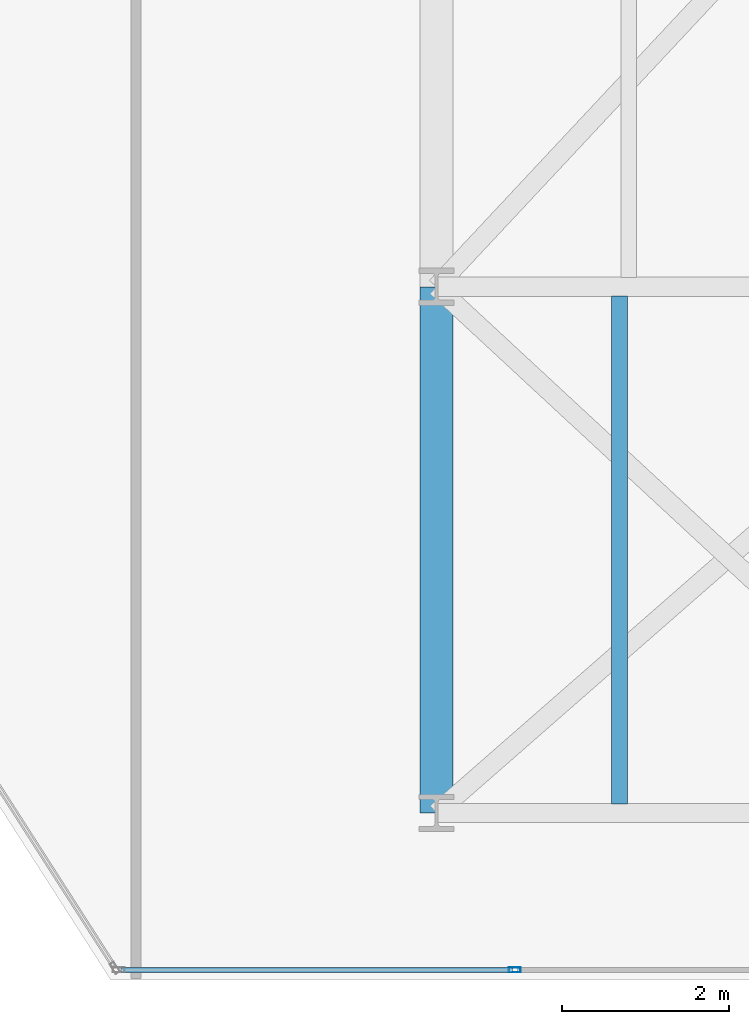
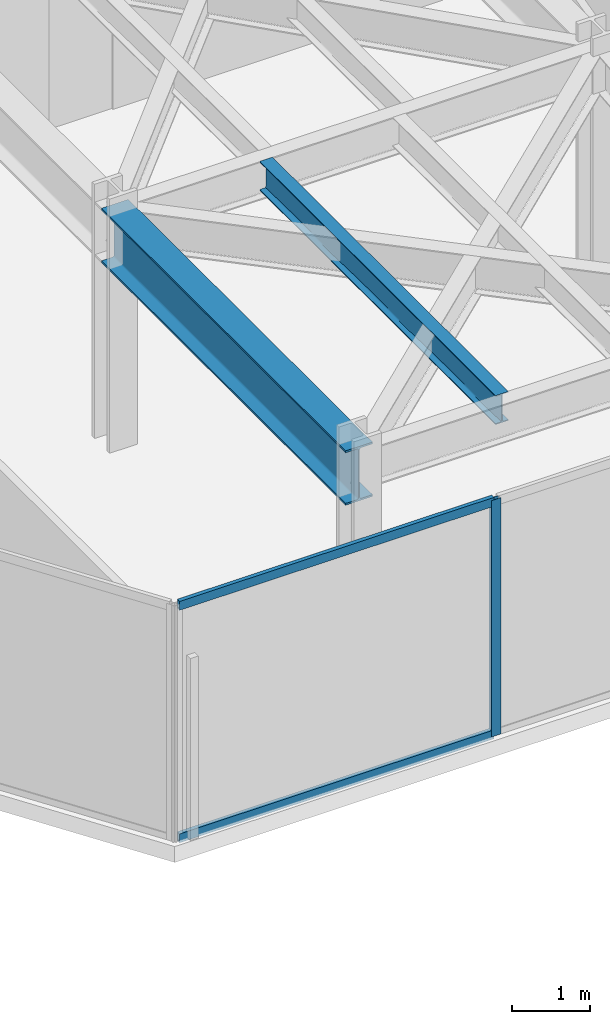
# One storey, part 16 of 26: 3 members, 2 beams, 1 element without a shape of its own.
"""IFC4 building model written with IfcOpenShell, lengths in metres."""

import ifcopenshell
import ifcopenshell.guid

model = None  # the IFC model being written
_history = None  # IfcOwnerHistory: only IFC2X3 demands one
_inside = {}  # id of a spatial element -> (the spatial element, [elements in it])
_under = {}  # id of a project, library or spatial element -> (it, [spatial elements below it])
_declared = {}  # id of a project -> (the project, [libraries it declares])
_typed = {}  # id of a type object -> (the type object, [elements of that type])
_made_of = {}  # id of a material, layer set ... -> (it, [elements and type objects made of it])


def new_model(schema):
    """Start an empty IFC model of exactly this schema.

    Asked for "IFC4X3", IfcOpenShell would pick the latest addendum, in which some entities
    have other attributes; the version numbers below select the first issue.
    IFC2X3 requires an IfcOwnerHistory on every rooted entity: one is made here for all.
    """
    global model, _history
    if schema == "IFC4X3":
        model = ifcopenshell.file(schema_version=(4, 3, 0, 0))
    else:
        model = ifcopenshell.file(schema=schema)
    _inside.clear()
    _under.clear()
    _declared.clear()
    _typed.clear()
    _made_of.clear()
    _history = None
    if model.schema == "IFC2X3":
        org = make("IfcOrganization", Name="unknown")
        user = make(
            "IfcPersonAndOrganization",
            ThePerson=make("IfcPerson", FamilyName="unknown"),
            TheOrganization=org,
        )
        app = make(
            "IfcApplication",
            ApplicationDeveloper=org,
            Version="unknown",
            ApplicationFullName="unknown",
            ApplicationIdentifier="unknown",
        )
        _history = make(
            "IfcOwnerHistory",
            OwningUser=user,
            OwningApplication=app,
            ChangeAction="ADDED",
            CreationDate=0,
        )
    return model


def make(cls, **values):
    """One entity of the class cls with the attributes given. An attribute that is None is left unset."""
    return model.create_entity(
        cls, **{name: value for name, value in values.items() if value is not None}
    )


def rooted(cls, **values):
    """An entity with a GlobalId (a new one), such as an element, a storey or a relation."""
    return make(cls, GlobalId=ifcopenshell.guid.new(), OwnerHistory=_history, **values)


def si_unit(unit_type, name, prefix=None):
    """IfcSIUnit, for example si_unit("LENGTHUNIT", "METRE", prefix="MILLI")."""
    return make("IfcSIUnit", UnitType=unit_type, Prefix=prefix, Name=name)


def assignment(units):
    """IfcUnitAssignment: the units of a project."""
    return None if units is None else make("IfcUnitAssignment", Units=units)


def point(xyz):
    """IfcCartesianPoint."""
    return None if xyz is None else make("IfcCartesianPoint", Coordinates=xyz)


def direction(xyz):
    """IfcDirection."""
    return None if xyz is None else make("IfcDirection", DirectionRatios=xyz)


def frame(location, z_axis=None, x_axis=None):
    """IfcAxis2Placement3D, a coordinate frame: its origin and axes. An axis left out is left unset."""
    return make(
        "IfcAxis2Placement3D",
        Location=point(location),
        Axis=direction(z_axis),
        RefDirection=direction(x_axis),
    )


def frame_2d(location, x_axis=None):
    """IfcAxis2Placement2D, a coordinate frame in the plane: its origin and x axis."""
    return make(
        "IfcAxis2Placement2D", Location=point(location), RefDirection=direction(x_axis)
    )


def origin():
    """The frame at (0, 0, 0) with its axes left unset."""
    return frame((0.0, 0.0, 0.0))


def origin_2d():
    """The frame at (0, 0) in the plane with its x axis left unset."""
    return frame_2d((0.0, 0.0))


def place(relative_to, where):
    """IfcLocalPlacement: puts the frame where relative to a parent placement (None: the world)."""
    return make(
        "IfcLocalPlacement", PlacementRelTo=relative_to, RelativePlacement=where
    )


def context(
    kind, dimensions, precision=None, world=None, true_north=None, identifier=None
):
    """IfcGeometricRepresentationContext, for example the 3D "Model" context."""
    return make(
        "IfcGeometricRepresentationContext",
        ContextIdentifier=identifier,
        ContextType=kind,
        CoordinateSpaceDimension=dimensions,
        Precision=precision,
        WorldCoordinateSystem=world,
        TrueNorth=true_north,
    )


def subcontext(parent, identifier, kind, view, scale=None):
    """IfcGeometricRepresentationSubContext, for example "Body" below "Model"."""
    return make(
        "IfcGeometricRepresentationSubContext",
        ContextIdentifier=identifier,
        ContextType=kind,
        ParentContext=parent,
        TargetScale=scale,
        TargetView=view,
    )


def project(units=None, contexts=None):
    """IfcProject with its units and contexts."""
    return rooted(
        "IfcProject",
        Name="project",
        RepresentationContexts=contexts,
        UnitsInContext=assignment(units),
    )


def spatial(cls, under=None, at=None, **own):
    """A site, building, storey or space (cls), placed at a placement, below another one or the project."""
    s = rooted(cls, ObjectPlacement=at, **own)
    if under is not None:
        _under.setdefault(under.id(), (under, []))[1].append(s)
    return s


def profile(cls, at=None, kind="AREA", **sizes):
    """A parametric profile (cls). Its sizes go by their IFC names, for example OverallWidth=200.0."""
    return make(cls, ProfileType=kind, Position=at, **sizes)


def hollow_rectangle(**sizes):
    """IfcRectangleHollowProfileDef."""
    return profile("IfcRectangleHollowProfileDef", **sizes)


def i_section(**sizes):
    """IfcIShapeProfileDef."""
    return profile("IfcIShapeProfileDef", **sizes)


def extrude(swept, where, along, depth):
    """IfcExtrudedAreaSolid: the profile swept, set in the frame where, extruded along a direction by depth."""
    return make(
        "IfcExtrudedAreaSolid",
        SweptArea=swept,
        Position=where,
        ExtrudedDirection=direction(along),
        Depth=depth,
    )


def shape(context_of_items, identifier, shape_type, items):
    """IfcShapeRepresentation: the items that make up one representation, for example the "Body"."""
    return make(
        "IfcShapeRepresentation",
        ContextOfItems=context_of_items,
        RepresentationIdentifier=identifier,
        RepresentationType=shape_type,
        Items=items,
    )


def material(Name=None, Category=None):
    """IfcMaterial."""
    return make("IfcMaterial", Name=Name, Category=Category)


def layer(
    of_material, thickness, ventilated=None, Name=None, Category=None, Priority=None
):
    """IfcMaterialLayer: one layer of a wall or slab, of a material (None: an air gap)."""
    return make(
        "IfcMaterialLayer",
        Material=of_material,
        LayerThickness=thickness,
        IsVentilated=ventilated,
        Name=Name,
        Category=Category,
        Priority=Priority,
    )


def layer_set(layers, Name=None):
    """IfcMaterialLayerSet."""
    return make("IfcMaterialLayerSet", MaterialLayers=layers, LayerSetName=Name)


def material_profile(
    of_material, cross_section, Name=None, Category=None, Priority=None
):
    """IfcMaterialProfile: a cross section and its material."""
    return make(
        "IfcMaterialProfile",
        Name=Name,
        Material=of_material,
        Profile=cross_section,
        Priority=Priority,
        Category=Category,
    )


def profile_set(profiles, Name=None, composite=None):
    """IfcMaterialProfileSet."""
    return make(
        "IfcMaterialProfileSet",
        Name=Name,
        MaterialProfiles=profiles,
        CompositeProfile=composite,
    )


def made_of(thing, what):
    """Note that an element or type object is made of a material, layer set ...; save() writes the relation."""
    if what is not None:
        _made_of.setdefault(what.id(), (what, []))[1].append(thing)
    return thing


def type_object(cls, material=None, **own):
    """A type object (cls), such as IfcWallType, which elements share."""
    return made_of(rooted(cls, **own), material)


def element(
    cls,
    number,
    at=None,
    inside=None,
    cuts=None,
    type_object=None,
    material=None,
    context=None,
    identifier="Body",
    shape_type=None,
    held_by="IfcProductDefinitionShape",
    body=None,
    shapes=None,
    **own,
):
    """One element of the class cls, such as IfcWall. Its Tag is "e" and its number.

    at: its placement. inside: the storey or other place that contains it. cuts: it is an
    opening in that element (IfcRelVoidsElement). A single representation is given by context,
    identifier, shape_type and body (its items); several are given by shapes. held_by: the class
    of the entity that holds the representations. save() writes the other relations.
    """
    e = rooted(cls, Tag="e%d" % number, ObjectPlacement=at, **own)
    if body is not None:
        shapes = [shape(context, identifier, shape_type, body)]
    if shapes is not None:
        e.Representation = make(held_by, Representations=shapes)
    if inside is not None:
        _inside.setdefault(inside.id(), (inside, []))[1].append(e)
    if cuts is not None:
        rooted(
            "IfcRelVoidsElement", RelatingBuildingElement=cuts, RelatedOpeningElement=e
        )
    if type_object is not None:
        _typed.setdefault(type_object.id(), (type_object, []))[1].append(e)
    return made_of(e, material)


def aggregate(whole, parts):
    """IfcRelAggregates: a whole, such as a stair, and the parts it consists of."""
    return rooted("IfcRelAggregates", RelatingObject=whole, RelatedObjects=parts)


def save(model, path):
    """Write the relations noted so far, then the file.

    IfcRelAggregates (storeys below a building ...), IfcRelContainedInSpatialStructure (elements
    in a storey), IfcRelDefinesByType, IfcRelAssociatesMaterial and IfcRelDeclares: one each for
    every whole, place, type object, material and project.
    """
    for whole, parts in _under.values():
        aggregate(whole, parts)
    for where, things in _inside.values():
        rooted(
            "IfcRelContainedInSpatialStructure",
            RelatedElements=things,
            RelatingStructure=where,
        )
    for kind, things in _typed.values():
        rooted("IfcRelDefinesByType", RelatedObjects=things, RelatingType=kind)
    for what, things in _made_of.values():
        rooted("IfcRelAssociatesMaterial", RelatedObjects=things, RelatingMaterial=what)
    for by, libraries in _declared.values():
        rooted("IfcRelDeclares", RelatingContext=by, RelatedDefinitions=libraries)
    model.write(path)


model = new_model("IFC4")

# Units and contexts
model_context = context("Model", 3, precision=1e-05, world=origin(), true_north=direction((0.0, 1.0)))
body_context = subcontext(model_context, "Body", "Model", "MODEL_VIEW")
ifc_project = project(units=[si_unit("LENGTHUNIT", "METRE"), si_unit("AREAUNIT", "SQUARE_METRE"), si_unit("VOLUMEUNIT", "CUBIC_METRE"), si_unit("PLANEANGLEUNIT", "RADIAN"), si_unit("MASSUNIT", "GRAM", prefix="KILO")], contexts=[model_context])

# Site, building, storey
site_placement = place(None, origin())
site = spatial("IfcSite", under=ifc_project, at=site_placement, CompositionType="ELEMENT")
building_placement = place(site_placement, origin())
building = spatial("IfcBuilding", under=site, at=building_placement, Name="Kravanh Interchange Tower", CompositionType="ELEMENT")
storey_placement = place(building_placement, frame((0.0, 0.0, 152.0)))
storey = spatial("IfcBuildingStorey", under=building, at=storey_placement, Name="L36", CompositionType="ELEMENT", Elevation=152.0)

# Curtain wall, members
ifc_material_1 = material(Name="Anodised Bronze Aluminium", Category="aluminium")
ifc_layer = layer(ifc_material_1, 0.179931640625)
ifc_layer_set = layer_set([ifc_layer], Name="Unitised Curtain Wall System CW-Z2 Mid Office")
curtain_wall_type = type_object("IfcCurtainWallType", Name="Unitised Curtain Wall System CW-Z2 Mid Office", PredefinedType="NOTDEFINED", material=ifc_layer_set)
curtain_wall_placement = place(storey_placement, origin())
curtain_wall = element("IfcCurtainWall", 1, at=curtain_wall_placement, inside=storey, type_object=curtain_wall_type, Name="L36 Unitised Curtain Wall CW-L36-03", PredefinedType="NOTDEFINED")
ifc_material_2 = material(Name="Anodised Bronze Aluminium", Category="aluminium")
ifc_material_profile_1 = material_profile(ifc_material_2, hollow_rectangle(XDim=0.06005859375, YDim=0.139892578125, WallThickness=0.00390625, at=origin_2d()), Name="ALU60X140X4")
ifc_profile_set_1 = profile_set([ifc_material_profile_1], Name="Anodised Bronze Aluminium")
member_type_1 = type_object("IfcMemberType", Name="Curtain Wall Mullion ALU60X140X4 Bronze", PredefinedType="MULLION", material=ifc_profile_set_1)
member_1_placement = place(storey_placement, frame((56.93798828125, 6.320068359375, 0.0), z_axis=(0.0, 0.0, 1.0), x_axis=(0.0, -1.0, 0.0)))
member_1 = element("IfcMember", 2, at=member_1_placement, type_object=member_type_1, Name="CW-Z2 mullion 2", PredefinedType="MULLION", context=body_context, shape_type="SweptSolid", body=[
    extrude(hollow_rectangle(XDim=0.06005859375, YDim=0.139892578125, WallThickness=0.00390625, at=origin_2d()), origin(), (0.0, 0.0, 1.0), 3.719970703125),
])
ifc_material_3 = material(Name="Anodised Bronze Aluminium", Category="aluminium")
ifc_material_profile_2 = material_profile(ifc_material_3, hollow_rectangle(XDim=0.06005859375, YDim=0.139892578125, WallThickness=0.00390625, at=origin_2d()), Name="ALU60X140X4")
ifc_profile_set_2 = profile_set([ifc_material_profile_2], Name="Anodised Bronze Aluminium")
member_type_2 = type_object("IfcMemberType", Name="Curtain Wall Transom ALU60X140X4 Bronze", PredefinedType="USERDEFINED", material=ifc_profile_set_2)
member_2_placement = place(storey_placement, frame((56.907958984375, 6.320068359375, 0.030029296875), z_axis=(-1.0, 0.0, 0.0), x_axis=(0.0, -1.0, 0.0)))
member_2 = element("IfcMember", 3, at=member_2_placement, type_object=member_type_2, Name="CW-Z2 transom 2.1", ObjectType="TRANSOM", PredefinedType="USERDEFINED", context=body_context, shape_type="SweptSolid", body=[
    extrude(hollow_rectangle(XDim=0.06005859375, YDim=0.139892578125, WallThickness=0.00390625, at=origin_2d()), origin(), (0.0, 0.0, 1.0), 4.682373046875),
])
member_3_placement = place(storey_placement, frame((56.907958984375, 6.320068359375, 3.68994140625), z_axis=(-1.0, 0.0, 0.0), x_axis=(0.0, -1.0, 0.0)))
member_3 = element("IfcMember", 4, at=member_3_placement, type_object=member_type_2, Name="CW-Z2 transom 2.2", ObjectType="TRANSOM", PredefinedType="USERDEFINED", context=body_context, shape_type="SweptSolid", body=[
    extrude(hollow_rectangle(XDim=0.06005859375, YDim=0.139892578125, WallThickness=0.00390625, at=origin_2d()), origin(), (0.0, 0.0, 1.0), 4.682373046875),
])
aggregate(curtain_wall, [member_1, member_2, member_3])

# Beams
ifc_material_4 = material(Name="Structural Steel S355", Category="steel")
ifc_material_profile_3 = material_profile(ifc_material_4, i_section(OverallWidth=0.39990234375, OverallDepth=0.85595703125, WebThickness=0.018310546875, FlangeThickness=0.029296875, FilletRadius=0.02490234375, at=origin_2d()), Name="W33X201")
ifc_profile_set_3 = profile_set([ifc_material_profile_3], Name="Structural Steel S355")
beam_type_1 = type_object("IfcBeamType", Name="Floor Beam W33X201 Structural Steel S355", PredefinedType="BEAM", material=ifc_profile_set_3)
beam_1_placement = place(storey_placement, frame((56.0, 8.199951171875, 3.2919921875), z_axis=(0.0, 1.0, 0.0), x_axis=(-1.0, 0.0, 0.0)))
element("IfcBeam", 5, at=beam_1_placement, inside=storey, type_object=beam_type_1, Name="L36 Primary Floor Girder 95", PredefinedType="BEAM", context=body_context, shape_type="SweptSolid", body=[
    extrude(i_section(OverallWidth=0.39990234375, OverallDepth=0.85595703125, WebThickness=0.018310546875, FlangeThickness=0.029296875, FilletRadius=0.02490234375, at=origin_2d()), origin(), (0.0, 0.0, 1.0), 6.300048828125),
])
ifc_material_5 = material(Name="Structural Steel S355", Category="steel")
ifc_material_profile_4 = material_profile(ifc_material_5, i_section(OverallWidth=0.18994140625, OverallDepth=0.45703125, WebThickness=0.009033203125, FlangeThickness=0.014404296875, FilletRadius=0.01806640625, at=origin_2d()), Name="W18X50")
ifc_profile_set_4 = profile_set([ifc_material_profile_4], Name="Structural Steel S355")
beam_type_2 = type_object("IfcBeamType", Name="Floor Joist W18X50 Structural Steel S355", PredefinedType="JOIST", material=ifc_profile_set_4)
beam_2_placement = place(storey_placement, frame((58.18994140625, 8.30908203125, 3.491455078125), z_axis=(0.0, 1.0, 0.0), x_axis=(-1.0, 0.0, 0.0)))
element("IfcBeam", 6, at=beam_2_placement, inside=storey, type_object=beam_type_2, Name="L36 Secondary Floor Joist 3", PredefinedType="JOIST", context=body_context, shape_type="SweptSolid", body=[
    extrude(i_section(OverallWidth=0.18994140625, OverallDepth=0.45703125, WebThickness=0.009033203125, FlangeThickness=0.014404296875, FilletRadius=0.01806640625, at=origin_2d()), origin(), (0.0, 0.0, 1.0), 6.08203125),
])

save(model, "model.ifc")
